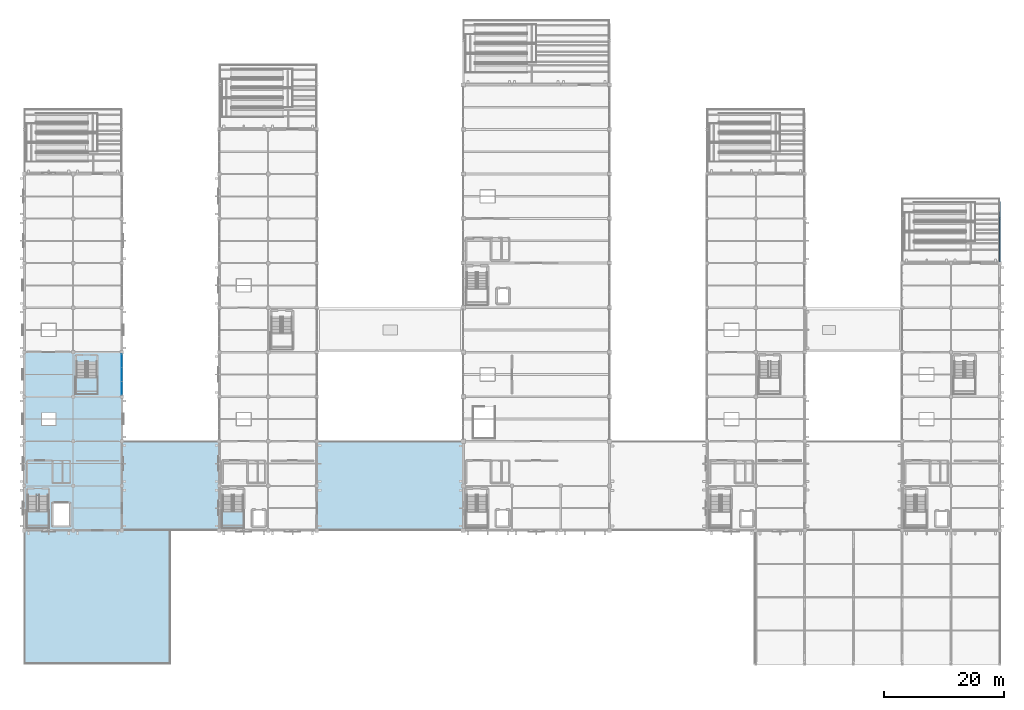
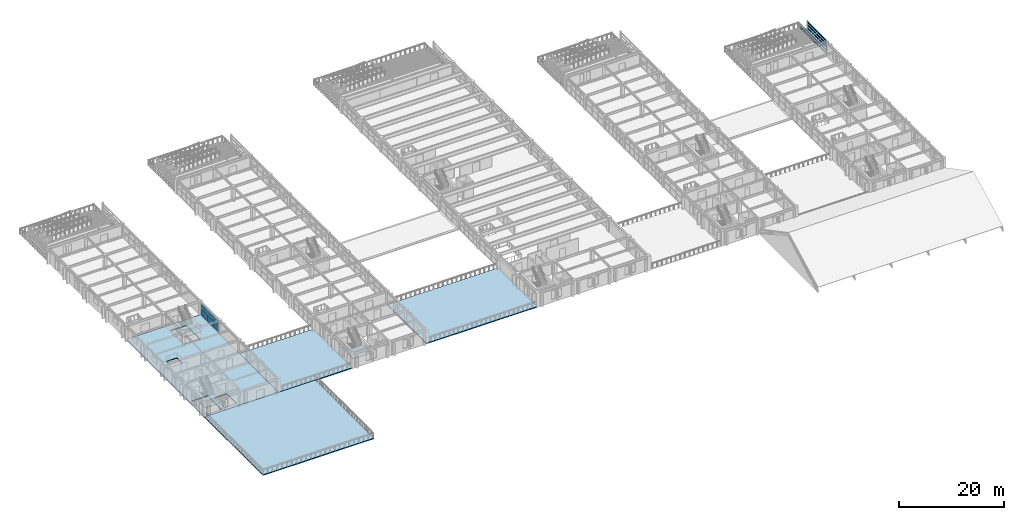
# One storey, part 92 of 121: 7 slabs, 6 plates, 5 beams, 4 elements without a shape of their own.
"""IFC4 building model written with IfcOpenShell, lengths in metres."""

from ifc_helpers import new_model, si_unit, direction, frame, origin, origin_2d, place, context, subcontext, project, spatial, polyline, rectangle, i_section, outline, extrude, material, layer, layer_set, material_profile, profile_set, type_object, element, aggregate, save


model = new_model("IFC4")

# Units and contexts
model_context = context("Model", 3, precision=1e-05, world=origin(), true_north=direction((0.0, 1.0)))
body_context = subcontext(model_context, "Body", "Model", "MODEL_VIEW")
ifc_project = project(units=[si_unit("LENGTHUNIT", "METRE"), si_unit("AREAUNIT", "SQUARE_METRE"), si_unit("VOLUMEUNIT", "CUBIC_METRE"), si_unit("PLANEANGLEUNIT", "RADIAN"), si_unit("MASSUNIT", "GRAM", prefix="KILO")], contexts=[model_context])

# Site, building, storey
site_placement = place(None, origin())
site = spatial("IfcSite", under=ifc_project, at=site_placement, CompositionType="ELEMENT")
building_placement = place(site_placement, origin())
building = spatial("IfcBuilding", under=site, at=building_placement, Name="Cimatlan Art Gallery", CompositionType="ELEMENT")
storey_placement = place(building_placement, frame((0.0, 0.0, 10.199951171875)))
storey = spatial("IfcBuildingStorey", under=building, at=storey_placement, Name="L02", CompositionType="ELEMENT", Elevation=10.199951171875)

# Beams
ifc_material_1 = material(Name="Steel ASTM A992 Grade 50", Category="steel")
ifc_material_profile = material_profile(ifc_material_1, i_section(OverallWidth=0.1650390625, OverallDepth=0.31005859375, WebThickness=0.005859375, FlangeThickness=0.009765625, at=origin_2d()), Name="W12X26")
ifc_profile_set = profile_set([ifc_material_profile], Name="Steel ASTM A992 Grade 50")
beam_type = type_object("IfcBeamType", Name="BM-STL-W12X26", PredefinedType="JOIST", material=ifc_profile_set)
beam_1_placement = place(storey_placement, frame((164.0, 68.52001953125, 0.364990234375), z_axis=(0.0, 1.0, 0.0), x_axis=(-1.0, 0.0, 0.0)))
element("IfcBeam", 1, at=beam_1_placement, inside=storey, type_object=beam_type, Name="BM-RMP-TER-B5-L1-NSE", PredefinedType="JOIST", context=body_context, shape_type="SweptSolid", body=[
    extrude(i_section(OverallWidth=0.1650390625, OverallDepth=0.31005859375, WebThickness=0.005859375, FlangeThickness=0.009765625, at=origin_2d()), origin(), (0.0, 0.0, 1.0), 9.97998046875),
])
beam_2_placement = place(storey_placement, frame((164.0, 68.52001953125, 1.0849609375), z_axis=(0.0, 1.0, 0.0), x_axis=(-1.0, 0.0, 0.0)))
element("IfcBeam", 2, at=beam_2_placement, inside=storey, type_object=beam_type, Name="BM-RMP-TER-B5-L2-NSE", PredefinedType="JOIST", context=body_context, shape_type="SweptSolid", body=[
    extrude(i_section(OverallWidth=0.1650390625, OverallDepth=0.31005859375, WebThickness=0.005859375, FlangeThickness=0.009765625, at=origin_2d()), origin(), (0.0, 0.0, 1.0), 8.330078125),
])
for number, where, z_axis, x_axis, name in (
    (3, (164.0, 68.52001953125, 1.804931640625), (0.0, 1.0, 0.0), (-1.0, 0.0, 0.0), "BM-RMP-TER-B5-L3-NSE"),
    (4, (164.0, 68.52001953125, 2.525146484375), (0.0, 1.0, 0.0), (-1.0, 0.0, 0.0), "BM-RMP-TER-B5-L4-NSE"),
    (5, (164.0, 68.52001953125, 3.2451171875), (0.0, 1.0, 0.0), (-1.0, 0.0, 0.0), "BM-RMP-TER-B5-L5-NSE"),
):
    element("IfcBeam", number, at=place(storey_placement, frame(where, z_axis=z_axis, x_axis=x_axis)), inside=storey, type_object=beam_type, Name=name, PredefinedType="JOIST", context=body_context, shape_type="SweptSolid", body=[
        extrude(i_section(OverallWidth=0.1650390625, OverallDepth=0.31005859375, WebThickness=0.005859375, FlangeThickness=0.009765625, at=origin_2d()), origin(), (0.0, 0.0, 1.0), 7.3798828125),
    ])

# Curtain wall, plates
ifc_material_2 = material(Name="Anodised bronze unitised curtain wall")
curtain_wall_type = type_object("IfcCurtainWallType", Name="CW-V-06792X02853-B3", PredefinedType="NOTDEFINED", material=ifc_material_2)
curtain_wall_placement = place(storey_placement, origin())
curtain_wall = element("IfcCurtainWall", 6, at=curtain_wall_placement, inside=storey, type_object=curtain_wall_type, Name="CW-L02-01-06-E", PredefinedType="NOTDEFINED")
ifc_material_3 = material(Name="Low-E insulated double glazing", Category="glass")
ifc_layer_1 = layer(ifc_material_3, 0.028076171875)
ifc_layer_set_1 = layer_set([ifc_layer_1], Name="Low-E insulated double glazing")
plate_type_1 = type_object("IfcPlateType", Name="PNL-2206X1071", PredefinedType="CURTAIN_PANEL", material=ifc_layer_set_1)
plate_1_placement = place(storey_placement, frame((18.199951171875, 52.06396484375, 1.65966796875), z_axis=(0.0, 0.0, 1.0), x_axis=(0.0, -1.0, 0.0)))
plate_1 = element("IfcPlate", 7, at=plate_1_placement, type_object=plate_type_1, Name="CW-L02-01-06-E-P12", PredefinedType="CURTAIN_PANEL", context=body_context, shape_type="SweptSolid", body=[
    extrude(rectangle(XDim=2.2060546875, YDim=0.028076171875, at=origin_2d()), origin(), (0.0, 0.0, 1.0), 1.071044921875),
])
plate_2_placement = place(storey_placement, frame((18.199951171875, 49.800048828125, 1.65966796875), z_axis=(0.0, 0.0, 1.0), x_axis=(0.0, -1.0, 0.0)))
plate_2 = element("IfcPlate", 8, at=plate_2_placement, type_object=plate_type_1, Name="CW-L02-01-06-E-P22", PredefinedType="CURTAIN_PANEL", context=body_context, shape_type="SweptSolid", body=[
    extrude(rectangle(XDim=2.2060546875, YDim=0.028076171875, at=origin_2d()), origin(), (0.0, 0.0, 1.0), 1.071044921875),
])
plate_3_placement = place(storey_placement, frame((18.199951171875, 47.535888671875, 1.65966796875), z_axis=(0.0, 0.0, 1.0), x_axis=(0.0, -1.0, 0.0)))
plate_3 = element("IfcPlate", 9, at=plate_3_placement, type_object=plate_type_1, Name="CW-L02-01-06-E-P32", PredefinedType="CURTAIN_PANEL", context=body_context, shape_type="SweptSolid", body=[
    extrude(rectangle(XDim=2.2060546875, YDim=0.028076171875, at=origin_2d()), origin(), (0.0, 0.0, 1.0), 1.071044921875),
])
ifc_layer_2 = layer(ifc_material_3, 0.028076171875)
ifc_layer_set_2 = layer_set([ifc_layer_2], Name="Low-E insulated double glazing")
plate_type_2 = type_object("IfcPlateType", Name="PNL-2206X1414", PredefinedType="CURTAIN_PANEL", material=ifc_layer_set_2)
plate_4_placement = place(storey_placement, frame((18.199951171875, 52.06396484375, 0.121826171875), z_axis=(0.0, 0.0, 1.0), x_axis=(0.0, -1.0, 0.0)))
plate_4 = element("IfcPlate", 10, at=plate_4_placement, type_object=plate_type_2, Name="CW-L02-01-06-E-P11", PredefinedType="CURTAIN_PANEL", context=body_context, shape_type="SweptSolid", body=[
    extrude(rectangle(XDim=2.2060546875, YDim=0.028076171875, at=origin_2d()), origin(), (0.0, 0.0, 1.0), 1.4140625),
])
plate_5_placement = place(storey_placement, frame((18.199951171875, 49.800048828125, 0.121826171875), z_axis=(0.0, 0.0, 1.0), x_axis=(0.0, -1.0, 0.0)))
plate_5 = element("IfcPlate", 11, at=plate_5_placement, type_object=plate_type_2, Name="CW-L02-01-06-E-P21", PredefinedType="CURTAIN_PANEL", context=body_context, shape_type="SweptSolid", body=[
    extrude(rectangle(XDim=2.2060546875, YDim=0.028076171875, at=origin_2d()), origin(), (0.0, 0.0, 1.0), 1.4140625),
])
plate_6_placement = place(storey_placement, frame((18.199951171875, 47.535888671875, 0.121826171875), z_axis=(0.0, 0.0, 1.0), x_axis=(0.0, -1.0, 0.0)))
plate_6 = element("IfcPlate", 12, at=plate_6_placement, type_object=plate_type_2, Name="CW-L02-01-06-E-P31", PredefinedType="CURTAIN_PANEL", context=body_context, shape_type="SweptSolid", body=[
    extrude(rectangle(XDim=2.2060546875, YDim=0.028076171875, at=origin_2d()), origin(), (0.0, 0.0, 1.0), 1.4140625),
])
aggregate(curtain_wall, [plate_4, plate_1, plate_5, plate_2, plate_6, plate_3])

# Slab
ifc_material_4 = material(Name="Concrete C35/45", Category="concrete")
ifc_layer_3 = layer(ifc_material_4, 0.239990234375)
ifc_layer_set_3 = layer_set([ifc_layer_3], Name="Concrete C35/45")
slab_type_1 = type_object("IfcSlabType", Name="SLB-FLR-L02", PredefinedType="FLOOR", material=ifc_layer_set_3)
slab_1_placement = place(storey_placement, frame((0.0, 0.0, -0.239990234375)))
element("IfcSlab", 13, at=slab_1_placement, inside=storey, type_object=slab_type_1, Name="SLB-L02-B1S", PredefinedType="FLOOR", context=body_context, shape_type="SweptSolid", body=[
    extrude(outline(polyline([(2.0, 23.89990234375), (18.199951171875, 23.89990234375), (18.199951171875, 53.5), (2.0, 53.5), (2.0, 23.89990234375)]), holes=[polyline([(2.5, 24.419921875), (6.02001953125, 24.419921875), (6.02001953125, 29.64990234375), (2.5, 29.64990234375), (2.5, 24.419921875)]), polyline([(6.81005859375, 24.7099609375), (9.489990234375, 24.7099609375), (9.489990234375, 28.389892578125), (6.81005859375, 28.389892578125), (6.81005859375, 24.7099609375)]), polyline([(10.60009765625, 46.6201171875), (14.1201171875, 46.6201171875), (14.1201171875, 51.85009765625), (10.60009765625, 51.85009765625), (10.60009765625, 46.6201171875)]), polyline([(4.89990234375, 41.39990234375), (7.199951171875, 41.39990234375), (7.199951171875, 43.39990234375), (4.89990234375, 43.39990234375), (4.89990234375, 41.39990234375)])]), origin(), (0.0, 0.0, 1.0), 0.239990234375),
])

# Stair, slab
stair_type = type_object("IfcStairType", Name="STR-HALF-155-360", PredefinedType="HALF_TURN_STAIR", material=ifc_material_4)
stair_1_placement = place(storey_placement, origin())
stair_1 = element("IfcStair", 14, at=stair_1_placement, inside=storey, type_object=stair_type, Name="STR-C1-L02", PredefinedType="HALF_TURN_STAIR")
ifc_layer_4 = layer(ifc_material_4, 0.219970703125)
ifc_layer_set_4 = layer_set([ifc_layer_4], Name="Concrete C35/45")
slab_type_2 = type_object("IfcSlabType", Name="SLB-STAIR-LAND-220", PredefinedType="LANDING", material=ifc_layer_set_4)
slab_2_placement = place(storey_placement, frame((0.0, 0.0, 1.580078125)))
slab_2 = element("IfcSlab", 15, at=slab_2_placement, type_object=slab_type_2, Name="STR-C1-L02-LND", PredefinedType="LANDING", context=body_context, shape_type="SweptSolid", body=[
    extrude(outline(polyline([(2.35009765625, 24.25), (6.139892578125, 24.25), (6.139892578125, 27.280029296875), (2.35009765625, 27.280029296875), (2.35009765625, 24.25)])), origin(), (0.0, 0.0, 1.0), 0.219970703125),
])
aggregate(stair_1, [slab_2])

stair_2_placement = place(storey_placement, origin())
stair_2 = element("IfcStair", 16, at=stair_2_placement, inside=storey, type_object=stair_type, Name="STR-C2-L02", PredefinedType="HALF_TURN_STAIR")
slab_3_placement = place(storey_placement, frame((0.0, 0.0, 1.580078125)))
slab_3 = element("IfcSlab", 17, at=slab_3_placement, type_object=slab_type_2, Name="STR-C2-L02-LND", PredefinedType="LANDING", context=body_context, shape_type="SweptSolid", body=[
    extrude(outline(polyline([(34.75, 24.25), (38.5400390625, 24.25), (38.5400390625, 27.280029296875), (34.75, 27.280029296875), (34.75, 24.25)])), origin(), (0.0, 0.0, 1.0), 0.219970703125),
])
aggregate(stair_2, [slab_3])

stair_3_placement = place(storey_placement, origin())
stair_3 = element("IfcStair", 18, at=stair_3_placement, inside=storey, type_object=stair_type, Name="STR-C7-L02", PredefinedType="HALF_TURN_STAIR")
slab_4_placement = place(storey_placement, frame((0.0, 0.0, 1.580078125)))
slab_4 = element("IfcSlab", 19, at=slab_4_placement, type_object=slab_type_2, Name="STR-C7-L02-LND", PredefinedType="LANDING", context=body_context, shape_type="SweptSolid", body=[
    extrude(outline(polyline([(10.449951171875, 46.449951171875), (14.239990234375, 46.449951171875), (14.239990234375, 49.47998046875), (10.449951171875, 49.47998046875), (10.449951171875, 46.449951171875)])), origin(), (0.0, 0.0, 1.0), 0.219970703125),
])
aggregate(stair_3, [slab_4])

# Slabs
ifc_layer_5 = layer(ifc_material_4, 0.219970703125)
ifc_layer_set_5 = layer_set([ifc_layer_5], Name="Concrete C35/45")
slab_type_3 = type_object("IfcSlabType", Name="SLB-TER-220", PredefinedType="FLOOR", material=ifc_layer_set_5)
slab_5_placement = place(storey_placement, frame((0.0, 0.0, -0.219970703125)))
element("IfcSlab", 20, at=slab_5_placement, inside=storey, type_object=slab_type_3, Name="TER-L02-SP1", PredefinedType="FLOOR", context=body_context, shape_type="SweptSolid", body=[
    extrude(outline(polyline([(18.199951171875, 23.89990234375), (34.39990234375, 23.89990234375), (34.39990234375, 38.699951171875), (18.199951171875, 38.699951171875), (18.199951171875, 23.89990234375)])), origin(), (0.0, 0.0, 1.0), 0.219970703125),
])
slab_6_placement = place(storey_placement, frame((0.0, 0.0, -0.219970703125)))
element("IfcSlab", 21, at=slab_6_placement, inside=storey, type_object=slab_type_3, Name="TER-L02-SP2", PredefinedType="FLOOR", context=body_context, shape_type="SweptSolid", body=[
    extrude(outline(polyline([(50.60009765625, 23.89990234375), (74.89990234375, 23.89990234375), (74.89990234375, 38.699951171875), (50.60009765625, 38.699951171875), (50.60009765625, 23.89990234375)])), origin(), (0.0, 0.0, 1.0), 0.219970703125),
])
slab_7_placement = place(storey_placement, frame((0.0, 0.0, -0.219970703125)))
element("IfcSlab", 22, at=slab_7_placement, inside=storey, type_object=slab_type_3, Name="TER-L02-SW", PredefinedType="FLOOR", context=body_context, shape_type="SweptSolid", body=[
    extrude(outline(polyline([(2.0, 1.699951171875), (26.300048828125, 1.699951171875), (26.300048828125, 23.89990234375), (2.0, 23.89990234375), (2.0, 1.699951171875)])), origin(), (0.0, 0.0, 1.0), 0.219970703125),
])

save(model, "model.ifc")
